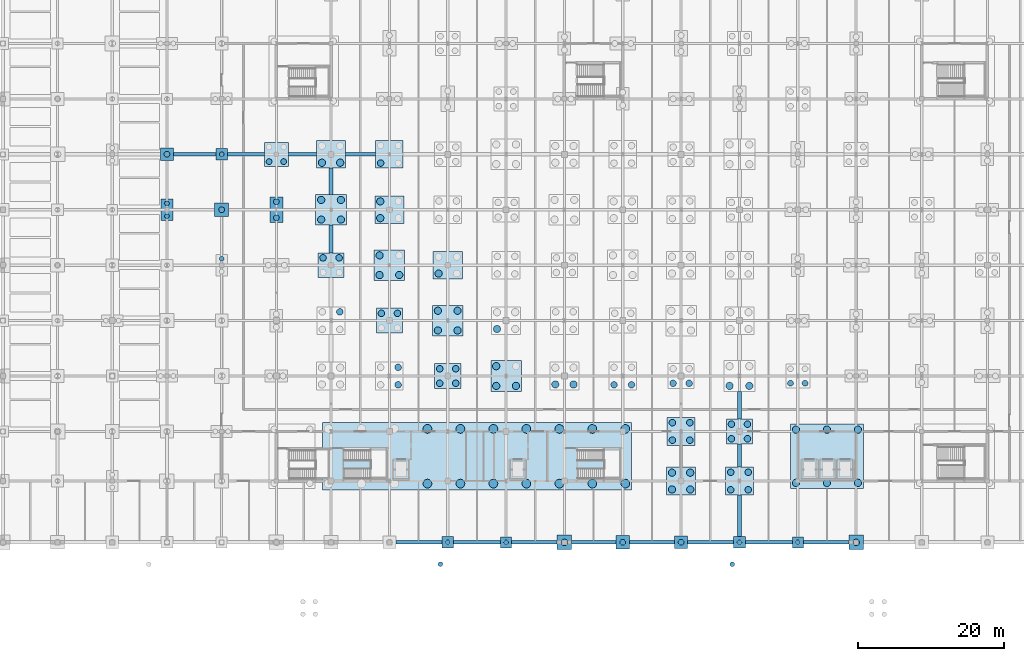
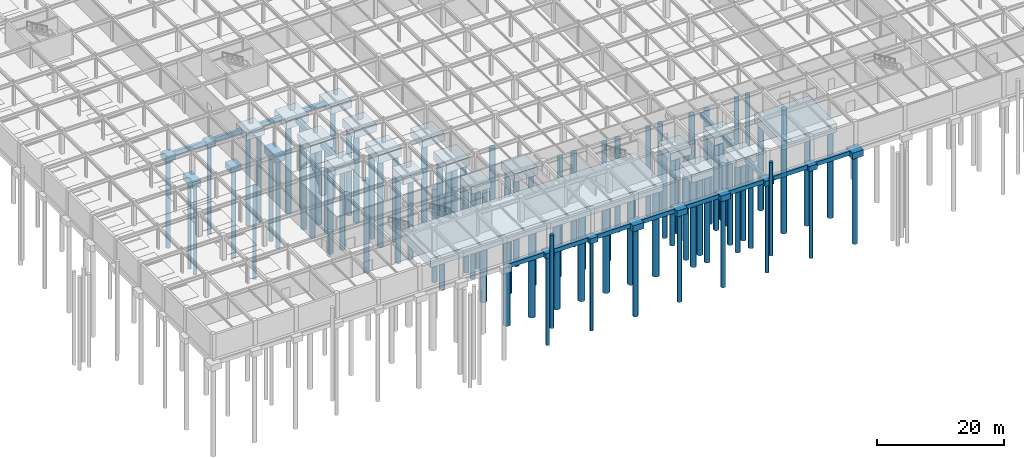
# One storey, part 2 of 53: 98 piles, 48 footings.
"""IFC4 building model written with IfcOpenShell, lengths in metres."""

from ifc_helpers import new_model, si_unit, direction, frame, origin, origin_2d, place, context, subcontext, project, spatial, rectangle, circle, extrude, material, material_profile, profile_set, type_object, element, save


model = new_model("IFC4")

# Units and contexts
model_context = context("Model", 3, precision=1e-05, world=origin(), true_north=direction((0.0, 1.0)))
body_context = subcontext(model_context, "Body", "Model", "MODEL_VIEW")
ifc_project = project(units=[si_unit("LENGTHUNIT", "METRE"), si_unit("AREAUNIT", "SQUARE_METRE"), si_unit("VOLUMEUNIT", "CUBIC_METRE"), si_unit("PLANEANGLEUNIT", "RADIAN"), si_unit("MASSUNIT", "GRAM", prefix="KILO")], contexts=[model_context])

# Site, building, storey
site_placement = place(None, origin())
site = spatial("IfcSite", under=ifc_project, at=site_placement, CompositionType="ELEMENT")
building_placement = place(site_placement, origin())
building = spatial("IfcBuilding", under=site, at=building_placement, Name="Shalkamar Park Central Library", CompositionType="ELEMENT")
storey_placement = place(building_placement, frame((0.0, 0.0, -4.800048828125)))
storey = spatial("IfcBuildingStorey", under=building, at=storey_placement, Name="B1", CompositionType="ELEMENT", Elevation=-4.800048828125)

# Piles
ifc_material = material(Name="Concrete C35/45", Category="concrete")
ifc_material_profile_1 = material_profile(ifc_material, circle(Radius=0.5, at=origin_2d()), Name="PILE D1000")
ifc_profile_set_1 = profile_set([ifc_material_profile_1], Name="Concrete C35/45")
pile_type_1 = type_object("IfcPileType", Name="Bored Concrete Pile D1000", PredefinedType="BORED", material=ifc_profile_set_1)
for number, where, z_axis, x_axis, name in (
    (1, (228.75, 248.14990234375, -0.800048828125), (0.0, 0.0, -1.0), (1.0, 0.0, 0.0), "Bored Pile FC-RAFT-PODLIFT-P01"),
    (2, (228.75, 255.449951171875, -0.800048828125), (0.0, 0.0, -1.0), (1.0, 0.0, 0.0), "Bored Pile FC-RAFT-PODLIFT-P02"),
    (3, (233.0, 248.14990234375, -0.800048828125), (0.0, 0.0, -1.0), (1.0, 0.0, 0.0), "Bored Pile FC-RAFT-PODLIFT-P03"),
    (4, (233.0, 255.449951171875, -0.800048828125), (0.0, 0.0, -1.0), (1.0, 0.0, 0.0), "Bored Pile FC-RAFT-PODLIFT-P04"),
    (5, (237.25, 248.14990234375, -0.800048828125), (0.0, 0.0, -1.0), (1.0, 0.0, 0.0), "Bored Pile FC-RAFT-PODLIFT-P05"),
    (6, (237.25, 255.449951171875, -0.800048828125), (0.0, 0.0, -1.0), (1.0, 0.0, 0.0), "Bored Pile FC-RAFT-PODLIFT-P06"),
    (7, (163.64990234375, 284.25, -0.800048828125), (0.0, 0.0, -1.0), (1.0, 0.0, 0.0), "Bored Pile FC-07-G-P01"),
    (8, (163.64990234375, 286.949951171875, -0.800048828125), (0.0, 0.0, -1.0), (1.0, 0.0, 0.0), "Bored Pile FC-07-G-P02"),
    (9, (166.35009765625, 284.25, -0.800048828125), (0.0, 0.0, -1.0), (1.0, 0.0, 0.0), "Bored Pile FC-07-G-P03"),
    (10, (166.35009765625, 286.949951171875, -0.800048828125), (0.0, 0.0, -1.0), (1.0, 0.0, 0.0), "Bored Pile FC-07-G-P04"),
    (11, (163.75, 292.050048828125, -0.800048828125), (0.0, 0.0, -1.0), (1.0, 0.0, 0.0), "Bored Pile FC-07-H-P01"),
    (12, (166.25, 292.050048828125, -0.800048828125), (0.0, 0.0, -1.0), (1.0, 0.0, 0.0), "Bored Pile FC-07-H-P03"),
    (13, (171.64990234375, 276.64990234375, -0.800048828125), (0.0, 0.0, -1.0), (1.0, 0.0, 0.0), "Bored Pile FC-08-F-P01"),
    (14, (171.64990234375, 279.35009765625, -0.800048828125), (0.0, 0.0, -1.0), (1.0, 0.0, 0.0), "Bored Pile FC-08-F-P02"),
    (15, (174.35009765625, 276.64990234375, -0.800048828125), (0.0, 0.0, -1.0), (1.0, 0.0, 0.0), "Bored Pile FC-08-F-P03"),
    (16, (171.75, 284.449951171875, -0.800048828125), (0.0, 0.0, -1.0), (1.0, 0.0, 0.0), "Bored Pile FC-08-G-P01"),
    (17, (171.75, 286.75, -0.800048828125), (0.0, 0.0, -1.0), (1.0, 0.0, 0.0), "Bored Pile FC-08-G-P02"),
    (18, (179.64990234375, 269.050048828125, -0.800048828125), (0.0, 0.0, -1.0), (1.0, 0.0, 0.0), "Bored Pile FC-09-E-P01"),
    (19, (179.64990234375, 271.75, -0.800048828125), (0.0, 0.0, -1.0), (1.0, 0.0, 0.0), "Bored Pile FC-09-E-P02"),
    (20, (182.35009765625, 269.050048828125, -0.800048828125), (0.0, 0.0, -1.0), (1.0, 0.0, 0.0), "Bored Pile FC-09-E-P03"),
    (21, (182.35009765625, 271.75, -0.800048828125), (0.0, 0.0, -1.0), (1.0, 0.0, 0.0), "Bored Pile FC-09-E-P04"),
    (22, (179.75, 276.85009765625, -0.800048828125), (0.0, 0.0, -1.0), (1.0, 0.0, 0.0), "Bored Pile FC-09-F-P01"),
    (23, (187.64990234375, 261.449951171875, -0.800048828125), (0.0, 0.0, -1.0), (1.0, 0.0, 0.0), "Bored Pile FC-10-D-P01"),
    (24, (187.64990234375, 264.14990234375, -0.800048828125), (0.0, 0.0, -1.0), (1.0, 0.0, 0.0), "Bored Pile FC-10-D-P02"),
    (25, (190.35009765625, 261.449951171875, -0.800048828125), (0.0, 0.0, -1.0), (1.0, 0.0, 0.0), "Bored Pile FC-10-D-P03"),
    (26, (187.75, 269.25, -0.800048828125), (0.0, 0.0, -1.0), (1.0, 0.0, 0.0), "Bored Pile FC-10-E-P01"),
    (27, (195.75, 261.64990234375, -0.800048828125), (0.0, 0.0, -1.0), (1.0, 0.0, 0.0), "Bored Pile FC-11-D-P01"),
    (28, (198.25, 261.64990234375, -0.800048828125), (0.0, 0.0, -1.0), (1.0, 0.0, 0.0), "Bored Pile FC-11-D-P03"),
    (29, (211.75, 247.25, -0.800048828125), (0.0, 0.0, -1.0), (1.0, 0.0, 0.0), "Bored Pile FC-13-B-P01"),
    (30, (211.75, 249.550048828125, -0.800048828125), (0.0, 0.0, -1.0), (1.0, 0.0, 0.0), "Bored Pile FC-13-B-P02"),
    (31, (214.25, 247.25, -0.800048828125), (0.0, 0.0, -1.0), (1.0, 0.0, 0.0), "Bored Pile FC-13-B-P03"),
    (32, (214.25, 249.550048828125, -0.800048828125), (0.0, 0.0, -1.0), (1.0, 0.0, 0.0), "Bored Pile FC-13-B-P04"),
    (33, (219.64990234375, 261.449951171875, -0.800048828125), (0.0, 0.0, -1.0), (1.0, 0.0, 0.0), "Bored Pile FC-14-D-P01"),
    (34, (222.35009765625, 261.449951171875, -0.800048828125), (0.0, 0.0, -1.0), (1.0, 0.0, 0.0), "Bored Pile FC-14-D-P03"),
):
    element("IfcPile", number, at=place(storey_placement, frame(where, z_axis=z_axis, x_axis=x_axis)), inside=storey, type_object=pile_type_1, Name=name, PredefinedType="BORED", context=body_context, shape_type="SweptSolid", body=[
        extrude(circle(Radius=0.5, at=origin_2d()), origin(), (0.0, 0.0, 1.0), 18.0),
    ])
ifc_material_profile_2 = material_profile(ifc_material, circle(Radius=0.60009765625, at=origin_2d()), Name="PILE D1200")
ifc_profile_set_2 = profile_set([ifc_material_profile_2], Name="Concrete C35/45")
pile_type_2 = type_object("IfcPileType", Name="Bored Concrete Pile D1200", PredefinedType="BORED", material=ifc_profile_set_2)
for number, where, z_axis, x_axis, name in (
    (35, (178.216796875, 248.050048828125, -0.800048828125), (0.0, 0.0, -1.0), (1.0, 0.0, 0.0), "Bored Pile FC-RAFT-TOWER-P07"),
    (36, (178.216796875, 255.550048828125, -0.800048828125), (0.0, 0.0, -1.0), (1.0, 0.0, 0.0), "Bored Pile FC-RAFT-TOWER-P08"),
    (37, (182.739013671875, 248.050048828125, -0.800048828125), (0.0, 0.0, -1.0), (1.0, 0.0, 0.0), "Bored Pile FC-RAFT-TOWER-P09"),
    (38, (182.739013671875, 255.550048828125, -0.800048828125), (0.0, 0.0, -1.0), (1.0, 0.0, 0.0), "Bored Pile FC-RAFT-TOWER-P10"),
    (39, (187.260986328125, 248.050048828125, -0.800048828125), (0.0, 0.0, -1.0), (1.0, 0.0, 0.0), "Bored Pile FC-RAFT-TOWER-P11"),
    (40, (187.260986328125, 255.550048828125, -0.800048828125), (0.0, 0.0, -1.0), (1.0, 0.0, 0.0), "Bored Pile FC-RAFT-TOWER-P12"),
    (41, (191.783203125, 248.050048828125, -0.800048828125), (0.0, 0.0, -1.0), (1.0, 0.0, 0.0), "Bored Pile FC-RAFT-TOWER-P13"),
    (42, (191.783203125, 255.550048828125, -0.800048828125), (0.0, 0.0, -1.0), (1.0, 0.0, 0.0), "Bored Pile FC-RAFT-TOWER-P14"),
    (43, (196.3056640625, 248.050048828125, -0.800048828125), (0.0, 0.0, -1.0), (1.0, 0.0, 0.0), "Bored Pile FC-RAFT-TOWER-P15"),
    (44, (196.3056640625, 255.550048828125, -0.800048828125), (0.0, 0.0, -1.0), (1.0, 0.0, 0.0), "Bored Pile FC-RAFT-TOWER-P16"),
    (45, (200.827880859375, 248.050048828125, -0.800048828125), (0.0, 0.0, -1.0), (1.0, 0.0, 0.0), "Bored Pile FC-RAFT-TOWER-P17"),
    (46, (200.827880859375, 255.550048828125, -0.800048828125), (0.0, 0.0, -1.0), (1.0, 0.0, 0.0), "Bored Pile FC-RAFT-TOWER-P18"),
    (47, (205.35009765625, 248.050048828125, -0.800048828125), (0.0, 0.0, -1.0), (1.0, 0.0, 0.0), "Bored Pile FC-RAFT-TOWER-P19"),
    (48, (205.35009765625, 255.550048828125, -0.800048828125), (0.0, 0.0, -1.0), (1.0, 0.0, 0.0), "Bored Pile FC-RAFT-TOWER-P20"),
):
    element("IfcPile", number, at=place(storey_placement, frame(where, z_axis=z_axis, x_axis=x_axis)), inside=storey, type_object=pile_type_2, Name=name, PredefinedType="BORED", context=body_context, shape_type="SweptSolid", body=[
        extrude(circle(Radius=0.60009765625, at=origin_2d()), origin(), (0.0, 0.0, 1.0), 18.0),
    ])
ifc_material_profile_3 = material_profile(ifc_material, circle(Radius=0.324951171875, at=origin_2d()), Name="PILE D650")
ifc_profile_set_3 = profile_set([ifc_material_profile_3], Name="Concrete C35/45")
pile_type_3 = type_object("IfcPileType", Name="Bored Concrete Pile D650", PredefinedType="BORED", material=ifc_profile_set_3)
for number, where, z_axis, x_axis, name in (
    (49, (142.5, 284.72509765625, -0.800048828125), (0.0, 0.0, -1.0), (1.0, 0.0, 0.0), "Bored Pile FC-04-G-P01"),
    (50, (142.5, 286.47509765625, -0.800048828125), (0.0, 0.0, -1.0), (1.0, 0.0, 0.0), "Bored Pile FC-04-G-P02"),
    (51, (150.0, 278.875, -0.800048828125), (0.0, 0.0, -1.0), (1.0, 0.0, 0.0), "Bored Pile FC-05-F-P02"),
    (52, (150.0, 293.199951171875, -0.800048828125), (0.0, 0.0, -1.0), (1.0, 0.0, 0.0), "Bored Pile FC-05-H-P01"),
    (53, (181.0, 240.0, -0.800048828125), (0.0, 0.0, -1.0), (1.0, 0.0, 0.0), "Bored Pile FC-09-A-P01"),
    (54, (189.0, 240.0, -0.800048828125), (0.0, 0.0, -1.0), (1.0, 0.0, 0.0), "Bored Pile FC-10-A-P01"),
    (55, (221.0, 240.0, -0.800048828125), (0.0, 0.0, -1.0), (1.0, 0.0, 0.0), "Bored Pile FC-14-A-P01"),
    (56, (229.0, 240.0, -0.800048828125), (0.0, 0.0, -1.0), (1.0, 0.0, 0.0), "Bored Pile FC-15-A-P01"),
    (57, (180.0, 237.0, 4.650146484375), (0.0, 0.0, -1.0), (1.0, 0.0, 0.0), "Entrance Apron Pile 09"),
    (58, (220.0, 237.0, 4.650146484375), (0.0, 0.0, -1.0), (1.0, 0.0, 0.0), "Entrance Apron Pile 10"),
):
    element("IfcPile", number, at=place(storey_placement, frame(where, z_axis=z_axis, x_axis=x_axis)), inside=storey, type_object=pile_type_3, Name=name, PredefinedType="BORED", context=body_context, shape_type="SweptSolid", body=[
        extrude(circle(Radius=0.324951171875, at=origin_2d()), origin(), (0.0, 0.0, 1.0), 18.0),
    ])
ifc_material_profile_4 = material_profile(ifc_material, circle(Radius=0.39990234375, at=origin_2d()), Name="PILE D800")
ifc_profile_set_4 = profile_set([ifc_material_profile_4], Name="Concrete C35/45")
pile_type_4 = type_object("IfcPileType", Name="Bored Concrete Pile D800", PredefinedType="BORED", material=ifc_profile_set_4)
for number, where, z_axis, x_axis, name in (
    (59, (142.5, 293.199951171875, -0.800048828125), (0.0, 0.0, -1.0), (1.0, 0.0, 0.0), "Bored Pile FC-04-H-P01"),
    (60, (150.0, 285.60009765625, -0.800048828125), (0.0, 0.0, -1.0), (1.0, 0.0, 0.0), "Bored Pile FC-05-G-P01"),
    (61, (157.5, 284.5, -0.800048828125), (0.0, 0.0, -1.0), (1.0, 0.0, 0.0), "Bored Pile FC-06-G-P01"),
    (62, (157.5, 286.699951171875, -0.800048828125), (0.0, 0.0, -1.0), (1.0, 0.0, 0.0), "Bored Pile FC-06-G-P02"),
    (63, (156.5, 292.199951171875, -0.800048828125), (0.0, 0.0, -1.0), (1.0, 0.0, 0.0), "Bored Pile FC-06-H-P01"),
    (64, (158.5, 292.199951171875, -0.800048828125), (0.0, 0.0, -1.0), (1.0, 0.0, 0.0), "Bored Pile FC-06-H-P03"),
    (65, (205.0, 240.0, -0.800048828125), (0.0, 0.0, -1.0), (1.0, 0.0, 0.0), "Bored Pile FC-12-A-P01"),
    (66, (213.0, 240.0, -0.800048828125), (0.0, 0.0, -1.0), (1.0, 0.0, 0.0), "Bored Pile FC-13-A-P01"),
    (67, (228.0, 261.800048828125, -0.800048828125), (0.0, 0.0, -1.0), (1.0, 0.0, 0.0), "Bored Pile FC-15-D-P01"),
    (68, (230.0, 261.800048828125, -0.800048828125), (0.0, 0.0, -1.0), (1.0, 0.0, 0.0), "Bored Pile FC-15-D-P03"),
):
    element("IfcPile", number, at=place(storey_placement, frame(where, z_axis=z_axis, x_axis=x_axis)), inside=storey, type_object=pile_type_4, Name=name, PredefinedType="BORED", context=body_context, shape_type="SweptSolid", body=[
        extrude(circle(Radius=0.39990234375, at=origin_2d()), origin(), (0.0, 0.0, 1.0), 18.0),
    ])
ifc_material_profile_5 = material_profile(ifc_material, circle(Radius=0.449951171875, at=origin_2d()), Name="PILE D900")
ifc_profile_set_5 = profile_set([ifc_material_profile_5], Name="Concrete C35/45")
pile_type_5 = type_object("IfcPileType", Name="Bored Concrete Pile D900", PredefinedType="BORED", material=ifc_profile_set_5)
for number, where, z_axis, x_axis, name in (
    (69, (166.199951171875, 271.60009765625, -0.800048828125), (0.0, 0.0, -1.0), (1.0, 0.0, 0.0), "Bored Pile FC-07-E-P04"),
    (70, (163.89990234375, 279.0, -0.800048828125), (0.0, 0.0, -1.0), (1.0, 0.0, 0.0), "Bored Pile FC-07-F-P02"),
    (71, (166.10009765625, 279.0, -0.800048828125), (0.0, 0.0, -1.0), (1.0, 0.0, 0.0), "Bored Pile FC-07-F-P04"),
    (72, (174.199951171875, 261.60009765625, -0.800048828125), (0.0, 0.0, -1.0), (1.0, 0.0, 0.0), "Bored Pile FC-08-D-P03"),
    (73, (174.199951171875, 264.0, -0.800048828125), (0.0, 0.0, -1.0), (1.0, 0.0, 0.0), "Bored Pile FC-08-D-P04"),
    (74, (171.89990234375, 271.39990234375, -0.800048828125), (0.0, 0.0, -1.0), (1.0, 0.0, 0.0), "Bored Pile FC-08-E-P02"),
    (75, (174.10009765625, 271.39990234375, -0.800048828125), (0.0, 0.0, -1.0), (1.0, 0.0, 0.0), "Bored Pile FC-08-E-P04"),
    (76, (171.800048828125, 292.0, -0.800048828125), (0.0, 0.0, -1.0), (1.0, 0.0, 0.0), "Bored Pile FC-08-H-P01"),
    (77, (179.89990234375, 261.800048828125, -0.800048828125), (0.0, 0.0, -1.0), (1.0, 0.0, 0.0), "Bored Pile FC-09-D-P01"),
    (78, (179.89990234375, 263.800048828125, -0.800048828125), (0.0, 0.0, -1.0), (1.0, 0.0, 0.0), "Bored Pile FC-09-D-P02"),
    (79, (182.10009765625, 261.800048828125, -0.800048828125), (0.0, 0.0, -1.0), (1.0, 0.0, 0.0), "Bored Pile FC-09-D-P03"),
    (80, (182.10009765625, 263.800048828125, -0.800048828125), (0.0, 0.0, -1.0), (1.0, 0.0, 0.0), "Bored Pile FC-09-D-P04"),
    (81, (197.0, 240.0, -0.800048828125), (0.0, 0.0, -1.0), (1.0, 0.0, 0.0), "Bored Pile FC-11-A-P01"),
    (82, (203.800048828125, 261.60009765625, -0.800048828125), (0.0, 0.0, -1.0), (1.0, 0.0, 0.0), "Bored Pile FC-12-D-P01"),
    (83, (206.199951171875, 261.60009765625, -0.800048828125), (0.0, 0.0, -1.0), (1.0, 0.0, 0.0), "Bored Pile FC-12-D-P03"),
    (84, (211.800048828125, 254.0, -0.800048828125), (0.0, 0.0, -1.0), (1.0, 0.0, 0.0), "Bored Pile FC-13-C-P01"),
    (85, (211.800048828125, 256.39990234375, -0.800048828125), (0.0, 0.0, -1.0), (1.0, 0.0, 0.0), "Bored Pile FC-13-C-P02"),
    (86, (214.199951171875, 254.0, -0.800048828125), (0.0, 0.0, -1.0), (1.0, 0.0, 0.0), "Bored Pile FC-13-C-P03"),
    (87, (214.199951171875, 256.39990234375, -0.800048828125), (0.0, 0.0, -1.0), (1.0, 0.0, 0.0), "Bored Pile FC-13-C-P04"),
    (88, (211.89990234375, 261.800048828125, -0.800048828125), (0.0, 0.0, -1.0), (1.0, 0.0, 0.0), "Bored Pile FC-13-D-P01"),
    (89, (214.10009765625, 261.800048828125, -0.800048828125), (0.0, 0.0, -1.0), (1.0, 0.0, 0.0), "Bored Pile FC-13-D-P03"),
    (90, (219.800048828125, 247.199951171875, -0.800048828125), (0.0, 0.0, -1.0), (1.0, 0.0, 0.0), "Bored Pile FC-14-B-P01"),
    (91, (219.800048828125, 249.60009765625, -0.800048828125), (0.0, 0.0, -1.0), (1.0, 0.0, 0.0), "Bored Pile FC-14-B-P02"),
    (92, (222.199951171875, 247.199951171875, -0.800048828125), (0.0, 0.0, -1.0), (1.0, 0.0, 0.0), "Bored Pile FC-14-B-P03"),
    (93, (222.199951171875, 249.60009765625, -0.800048828125), (0.0, 0.0, -1.0), (1.0, 0.0, 0.0), "Bored Pile FC-14-B-P04"),
    (94, (219.89990234375, 254.199951171875, -0.800048828125), (0.0, 0.0, -1.0), (1.0, 0.0, 0.0), "Bored Pile FC-14-C-P01"),
    (95, (219.89990234375, 256.199951171875, -0.800048828125), (0.0, 0.0, -1.0), (1.0, 0.0, 0.0), "Bored Pile FC-14-C-P02"),
    (96, (222.10009765625, 254.199951171875, -0.800048828125), (0.0, 0.0, -1.0), (1.0, 0.0, 0.0), "Bored Pile FC-14-C-P03"),
    (97, (222.10009765625, 256.199951171875, -0.800048828125), (0.0, 0.0, -1.0), (1.0, 0.0, 0.0), "Bored Pile FC-14-C-P04"),
    (98, (237.0, 240.0, -0.800048828125), (0.0, 0.0, -1.0), (1.0, 0.0, 0.0), "Bored Pile FC-16-A-P01"),
):
    element("IfcPile", number, at=place(storey_placement, frame(where, z_axis=z_axis, x_axis=x_axis)), inside=storey, type_object=pile_type_5, Name=name, PredefinedType="BORED", context=body_context, shape_type="SweptSolid", body=[
        extrude(circle(Radius=0.449951171875, at=origin_2d()), origin(), (0.0, 0.0, 1.0), 18.0),
    ])

# Footings
footing_type_1 = type_object("IfcFootingType", Name="Ground Tie Beam 500x800", PredefinedType="FOOTING_BEAM", material=ifc_material)
footing_1_placement = place(storey_placement, frame((177.03759765625, 240.0, -1.39990234375), z_axis=(0.0, 0.0, 1.0), x_axis=(1.0, 0.0, 0.0)))
element("IfcFooting", 99, at=footing_1_placement, inside=storey, type_object=footing_type_1, Name="Ground Tie Beam TB-X-08-A", PredefinedType="FOOTING_BEAM", context=body_context, shape_type="SweptSolid", body=[
    extrude(rectangle(XDim=6.324951171875, YDim=0.5, at=origin_2d()), origin(), (0.0, 0.0, 1.0), 0.800048828125),
])
footing_2_placement = place(storey_placement, frame((185.02490234375, 240.0, -1.39990234375), z_axis=(0.0, 0.0, 1.0), x_axis=(1.0, 0.0, 0.0)))
element("IfcFooting", 100, at=footing_2_placement, inside=storey, type_object=footing_type_1, Name="Ground Tie Beam TB-X-09-A", PredefinedType="FOOTING_BEAM", context=body_context, shape_type="SweptSolid", body=[
    extrude(rectangle(XDim=6.449951171875, YDim=0.5, at=origin_2d()), origin(), (0.0, 0.0, 1.0), 0.800048828125),
])
footing_3_placement = place(storey_placement, frame((192.875, 240.0, -1.39990234375), z_axis=(0.0, 0.0, 1.0), x_axis=(1.0, 0.0, 0.0)))
element("IfcFooting", 101, at=footing_3_placement, inside=storey, type_object=footing_type_1, Name="Ground Tie Beam TB-X-10-A", PredefinedType="FOOTING_BEAM", context=body_context, shape_type="SweptSolid", body=[
    extrude(rectangle(XDim=6.25, YDim=0.5, at=origin_2d()), origin(), (0.0, 0.0, 1.0), 0.800048828125),
])
footing_4_placement = place(storey_placement, frame((201.02490234375, 240.0, -1.39990234375), z_axis=(0.0, 0.0, 1.0), x_axis=(1.0, 0.0, 0.0)))
element("IfcFooting", 102, at=footing_4_placement, inside=storey, type_object=footing_type_1, Name="Ground Tie Beam TB-X-11-A", PredefinedType="FOOTING_BEAM", context=body_context, shape_type="SweptSolid", body=[
    extrude(rectangle(XDim=6.050048828125, YDim=0.5, at=origin_2d()), origin(), (0.0, 0.0, 1.0), 0.800048828125),
])
footing_5_placement = place(storey_placement, frame((209.03759765625, 240.0, -1.39990234375), z_axis=(0.0, 0.0, 1.0), x_axis=(1.0, 0.0, 0.0)))
element("IfcFooting", 103, at=footing_5_placement, inside=storey, type_object=footing_type_1, Name="Ground Tie Beam TB-X-12-A", PredefinedType="FOOTING_BEAM", context=body_context, shape_type="SweptSolid", body=[
    extrude(rectangle(XDim=6.175048828125, YDim=0.5, at=origin_2d()), origin(), (0.0, 0.0, 1.0), 0.800048828125),
])
footing_6_placement = place(storey_placement, frame((217.03759765625, 240.0, -1.39990234375), z_axis=(0.0, 0.0, 1.0), x_axis=(1.0, 0.0, 0.0)))
element("IfcFooting", 104, at=footing_6_placement, inside=storey, type_object=footing_type_1, Name="Ground Tie Beam TB-X-13-A", PredefinedType="FOOTING_BEAM", context=body_context, shape_type="SweptSolid", body=[
    extrude(rectangle(XDim=6.324951171875, YDim=0.5, at=origin_2d()), origin(), (0.0, 0.0, 1.0), 0.800048828125),
])
footing_7_placement = place(storey_placement, frame((225.02490234375, 240.0, -1.39990234375), z_axis=(0.0, 0.0, 1.0), x_axis=(1.0, 0.0, 0.0)))
element("IfcFooting", 105, at=footing_7_placement, inside=storey, type_object=footing_type_1, Name="Ground Tie Beam TB-X-14-A", PredefinedType="FOOTING_BEAM", context=body_context, shape_type="SweptSolid", body=[
    extrude(rectangle(XDim=6.449951171875, YDim=0.5, at=origin_2d()), origin(), (0.0, 0.0, 1.0), 0.800048828125),
])
footing_8_placement = place(storey_placement, frame((232.875, 240.0, -1.39990234375), z_axis=(0.0, 0.0, 1.0), x_axis=(1.0, 0.0, 0.0)))
element("IfcFooting", 106, at=footing_8_placement, inside=storey, type_object=footing_type_1, Name="Ground Tie Beam TB-X-15-A", PredefinedType="FOOTING_BEAM", context=body_context, shape_type="SweptSolid", body=[
    extrude(rectangle(XDim=6.25, YDim=0.5, at=origin_2d()), origin(), (0.0, 0.0, 1.0), 0.800048828125),
])
footing_type_2 = type_object("IfcFootingType", Name="Ground Tie Beam 500x850", PredefinedType="FOOTING_BEAM", material=ifc_material)
footing_9_placement = place(storey_placement, frame((146.28759765625, 293.199951171875, -1.449951171875), z_axis=(0.0, 0.0, 1.0), x_axis=(1.0, 0.0, 0.0)))
element("IfcFooting", 107, at=footing_9_placement, inside=storey, type_object=footing_type_2, Name="Ground Tie Beam TB-X-04-H", PredefinedType="FOOTING_BEAM", context=body_context, shape_type="SweptSolid", body=[
    extrude(rectangle(XDim=5.824951171875, YDim=0.5, at=origin_2d()), origin(), (0.0, 0.0, 1.0), 0.85009765625),
])
footing_10_placement = place(storey_placement, frame((153.324951171875, 293.199951171875, -1.449951171875), z_axis=(0.0, 0.0, 1.0), x_axis=(1.0, 0.0, 0.0)))
element("IfcFooting", 108, at=footing_10_placement, inside=storey, type_object=footing_type_2, Name="Ground Tie Beam TB-X-05-H", PredefinedType="FOOTING_BEAM", context=body_context, shape_type="SweptSolid", body=[
    extrude(rectangle(XDim=5.050048828125, YDim=0.5, at=origin_2d()), origin(), (0.0, 0.0, 1.0), 0.85009765625),
])
footing_11_placement = place(storey_placement, frame((161.074951171875, 293.199951171875, -1.449951171875), z_axis=(0.0, 0.0, 1.0), x_axis=(1.0, 0.0, 0.0)))
element("IfcFooting", 109, at=footing_11_placement, inside=storey, type_object=footing_type_2, Name="Ground Tie Beam TB-X-06-H", PredefinedType="FOOTING_BEAM", context=body_context, shape_type="SweptSolid", body=[
    extrude(rectangle(XDim=3.85009765625, YDim=0.5, at=origin_2d()), origin(), (0.0, 0.0, 1.0), 0.85009765625),
])
footing_12_placement = place(storey_placement, frame((169.050048828125, 293.199951171875, -1.449951171875), z_axis=(0.0, 0.0, 1.0), x_axis=(1.0, 0.0, 0.0)))
element("IfcFooting", 110, at=footing_12_placement, inside=storey, type_object=footing_type_2, Name="Ground Tie Beam TB-X-07-H", PredefinedType="FOOTING_BEAM", context=body_context, shape_type="SweptSolid", body=[
    extrude(rectangle(XDim=4.10009765625, YDim=0.5, at=origin_2d()), origin(), (0.0, 0.0, 1.0), 0.85009765625),
])
footing_13_placement = place(storey_placement, frame((165.0, 281.60009765625, -1.449951171875), z_axis=(0.0, 0.0, 1.0), x_axis=(0.0, 1.0, 0.0)))
element("IfcFooting", 111, at=footing_13_placement, inside=storey, type_object=footing_type_2, Name="Ground Tie Beam TB-Y-07-F", PredefinedType="FOOTING_BEAM", context=body_context, shape_type="SweptSolid", body=[
    extrude(rectangle(XDim=3.800048828125, YDim=0.5, at=origin_2d()), origin(), (0.0, 0.0, 1.0), 0.85009765625),
])
footing_14_placement = place(storey_placement, frame((165.0, 289.5, -1.449951171875), z_axis=(0.0, 0.0, 1.0), x_axis=(0.0, 1.0, 0.0)))
element("IfcFooting", 112, at=footing_14_placement, inside=storey, type_object=footing_type_2, Name="Ground Tie Beam TB-Y-07-G", PredefinedType="FOOTING_BEAM", context=body_context, shape_type="SweptSolid", body=[
    extrude(rectangle(XDim=3.60009765625, YDim=0.5, at=origin_2d()), origin(), (0.0, 0.0, 1.0), 0.85009765625),
])
footing_15_placement = place(storey_placement, frame((221.0, 243.64990234375, -1.449951171875), z_axis=(0.0, 0.0, 1.0), x_axis=(0.0, 1.0, 0.0)))
element("IfcFooting", 113, at=footing_15_placement, inside=storey, type_object=footing_type_2, Name="Ground Tie Beam TB-Y-14-A", PredefinedType="FOOTING_BEAM", context=body_context, shape_type="SweptSolid", body=[
    extrude(rectangle(XDim=5.699951171875, YDim=0.5, at=origin_2d()), origin(), (0.0, 0.0, 1.0), 0.85009765625),
])
footing_16_placement = place(storey_placement, frame((221.0, 251.89990234375, -1.449951171875), z_axis=(0.0, 0.0, 1.0), x_axis=(0.0, 1.0, 0.0)))
element("IfcFooting", 114, at=footing_16_placement, inside=storey, type_object=footing_type_2, Name="Ground Tie Beam TB-Y-14-B", PredefinedType="FOOTING_BEAM", context=body_context, shape_type="SweptSolid", body=[
    extrude(rectangle(XDim=3.199951171875, YDim=0.5, at=origin_2d()), origin(), (0.0, 0.0, 1.0), 0.85009765625),
])
footing_17_placement = place(storey_placement, frame((221.0, 258.800048828125, -1.449951171875), z_axis=(0.0, 0.0, 1.0), x_axis=(0.0, 1.0, 0.0)))
element("IfcFooting", 115, at=footing_17_placement, inside=storey, type_object=footing_type_2, Name="Ground Tie Beam TB-Y-14-C", PredefinedType="FOOTING_BEAM", context=body_context, shape_type="SweptSolid", body=[
    extrude(rectangle(XDim=3.800048828125, YDim=0.5, at=origin_2d()), origin(), (0.0, 0.0, 1.0), 0.85009765625),
])
footing_type_3 = type_object("IfcFootingType", Name="Reinforced Concrete Pile Cap 1000x880x165", PredefinedType="PILE_CAP", material=ifc_material)
footing_18_placement = place(storey_placement, frame((233.0, 251.800048828125, -2.25), z_axis=(0.0, 0.0, 1.0), x_axis=(1.0, 0.0, 0.0)))
element("IfcFooting", 116, at=footing_18_placement, inside=storey, type_object=footing_type_3, Name="Pile Cap FC-02", PredefinedType="PILE_CAP", context=body_context, shape_type="SweptSolid", body=[
    extrude(rectangle(XDim=10.0, YDim=8.800048828125, at=origin_2d()), origin(), (0.0, 0.0, 1.0), 1.64990234375),
])
footing_type_4 = type_object("IfcFootingType", Name="Reinforced Concrete Pile Cap 150x150x100", PredefinedType="PILE_CAP", material=ifc_material)
for number, where, z_axis, x_axis, name in (
    (117, (189.0, 240.0, -1.599853515625), (0.0, 0.0, 1.0), (1.0, 0.0, 0.0), "Pile Cap FC-09"),
    (118, (229.0, 240.0, -1.599853515625), (0.0, 0.0, 1.0), (1.0, 0.0, 0.0), "Pile Cap FC-09"),
):
    element("IfcFooting", number, at=place(storey_placement, frame(where, z_axis=z_axis, x_axis=x_axis)), inside=storey, type_object=footing_type_4, Name=name, PredefinedType="PILE_CAP", context=body_context, shape_type="SweptSolid", body=[
        extrude(rectangle(XDim=1.5, YDim=1.5, at=origin_2d()), origin(), (0.0, 0.0, 1.0), 1.0),
    ])
footing_type_5 = type_object("IfcFootingType", Name="Reinforced Concrete Pile Cap 160x160x105", PredefinedType="PILE_CAP", material=ifc_material)
for number, where, z_axis, x_axis, name in (
    (119, (150.0, 293.199951171875, -1.64990234375), (0.0, 0.0, 1.0), (1.0, 0.0, 0.0), "Pile Cap FC-11"),
    (120, (181.0, 240.0, -1.64990234375), (0.0, 0.0, 1.0), (1.0, 0.0, 0.0), "Pile Cap FC-11"),
    (121, (221.0, 240.0, -1.64990234375), (0.0, 0.0, 1.0), (1.0, 0.0, 0.0), "Pile Cap FC-11"),
):
    element("IfcFooting", number, at=place(storey_placement, frame(where, z_axis=z_axis, x_axis=x_axis)), inside=storey, type_object=footing_type_5, Name=name, PredefinedType="PILE_CAP", context=body_context, shape_type="SweptSolid", body=[
        extrude(rectangle(XDim=1.60009765625, YDim=1.60009765625, at=origin_2d()), origin(), (0.0, 0.0, 1.0), 1.050048828125),
    ])
footing_type_6 = type_object("IfcFootingType", Name="Reinforced Concrete Pile Cap 160x290x125", PredefinedType="PILE_CAP", material=ifc_material)
footing_19_placement = place(storey_placement, frame((142.5, 285.60009765625, -1.849853515625), z_axis=(0.0, 0.0, 1.0), x_axis=(1.0, 0.0, 0.0)))
element("IfcFooting", 122, at=footing_19_placement, inside=storey, type_object=footing_type_6, Name="Pile Cap FC-12", PredefinedType="PILE_CAP", context=body_context, shape_type="SweptSolid", body=[
    extrude(rectangle(XDim=1.60009765625, YDim=2.89990234375, at=origin_2d()), origin(), (0.0, 0.0, 1.0), 1.25),
])
footing_type_7 = type_object("IfcFootingType", Name="Reinforced Concrete Pile Cap 175x175x110", PredefinedType="PILE_CAP", material=ifc_material)
for number, where, z_axis, x_axis, name in (
    (123, (142.5, 293.199951171875, -1.699951171875), (0.0, 0.0, 1.0), (1.0, 0.0, 0.0), "Pile Cap FC-08"),
    (124, (213.0, 240.0, -1.699951171875), (0.0, 0.0, 1.0), (1.0, 0.0, 0.0), "Pile Cap FC-08"),
):
    element("IfcFooting", number, at=place(storey_placement, frame(where, z_axis=z_axis, x_axis=x_axis)), inside=storey, type_object=footing_type_7, Name=name, PredefinedType="PILE_CAP", context=body_context, shape_type="SweptSolid", body=[
        extrude(rectangle(XDim=1.75, YDim=1.75, at=origin_2d()), origin(), (0.0, 0.0, 1.0), 1.10009765625),
    ])
footing_type_8 = type_object("IfcFootingType", Name="Reinforced Concrete Pile Cap 180x350x140", PredefinedType="PILE_CAP", material=ifc_material)
footing_20_placement = place(storey_placement, frame((157.5, 285.60009765625, -2.0), z_axis=(0.0, 0.0, 1.0), x_axis=(1.0, 0.0, 0.0)))
element("IfcFooting", 125, at=footing_20_placement, inside=storey, type_object=footing_type_8, Name="Pile Cap FC-17", PredefinedType="PILE_CAP", context=body_context, shape_type="SweptSolid", body=[
    extrude(rectangle(XDim=1.800048828125, YDim=3.5, at=origin_2d()), origin(), (0.0, 0.0, 1.0), 1.39990234375),
])
footing_type_9 = type_object("IfcFootingType", Name="Reinforced Concrete Pile Cap 190x190x115", PredefinedType="PILE_CAP", material=ifc_material)
for number, where, z_axis, x_axis, name in (
    (126, (150.0, 285.60009765625, -1.75), (0.0, 0.0, 1.0), (1.0, 0.0, 0.0), "Pile Cap FC-10"),
    (127, (205.0, 240.0, -1.75), (0.0, 0.0, 1.0), (1.0, 0.0, 0.0), "Pile Cap FC-10"),
):
    element("IfcFooting", number, at=place(storey_placement, frame(where, z_axis=z_axis, x_axis=x_axis)), inside=storey, type_object=footing_type_9, Name=name, PredefinedType="PILE_CAP", context=body_context, shape_type="SweptSolid", body=[
        extrude(rectangle(XDim=1.89990234375, YDim=1.89990234375, at=origin_2d()), origin(), (0.0, 0.0, 1.0), 1.14990234375),
    ])
footing_type_10 = type_object("IfcFootingType", Name="Reinforced Concrete Pile Cap 200x200x120", PredefinedType="PILE_CAP", material=ifc_material)
for number, where, z_axis, x_axis, name in (
    (128, (197.0, 240.0, -1.7998046875), (0.0, 0.0, 1.0), (1.0, 0.0, 0.0), "Pile Cap FC-07"),
    (129, (237.0, 240.0, -1.7998046875), (0.0, 0.0, 1.0), (1.0, 0.0, 0.0), "Pile Cap FC-07"),
):
    element("IfcFooting", number, at=place(storey_placement, frame(where, z_axis=z_axis, x_axis=x_axis)), inside=storey, type_object=footing_type_10, Name=name, PredefinedType="PILE_CAP", context=body_context, shape_type="SweptSolid", body=[
        extrude(rectangle(XDim=2.0, YDim=2.0, at=origin_2d()), origin(), (0.0, 0.0, 1.0), 1.199951171875),
    ])
footing_type_11 = type_object("IfcFootingType", Name="Reinforced Concrete Pile Cap 330x330x135", PredefinedType="PILE_CAP", material=ifc_material)
footing_21_placement = place(storey_placement, frame((157.5, 293.199951171875, -1.949951171875), z_axis=(0.0, 0.0, 1.0), x_axis=(1.0, 0.0, 0.0)))
element("IfcFooting", 130, at=footing_21_placement, inside=storey, type_object=footing_type_11, Name="Pile Cap FC-18", PredefinedType="PILE_CAP", context=body_context, shape_type="SweptSolid", body=[
    extrude(rectangle(XDim=3.300048828125, YDim=3.300048828125, at=origin_2d()), origin(), (0.0, 0.0, 1.0), 1.35009765625),
])
footing_type_12 = type_object("IfcFootingType", Name="Reinforced Concrete Pile Cap 360x340x145", PredefinedType="PILE_CAP", material=ifc_material)
for number, where, z_axis, x_axis, name in (
    (131, (165.0, 278.0, -2.0498046875), (0.0, 0.0, 1.0), (1.0, 0.0, 0.0), "Pile Cap FC-21"),
    (132, (173.0, 270.39990234375, -2.0498046875), (0.0, 0.0, 1.0), (1.0, 0.0, 0.0), "Pile Cap FC-21"),
    (133, (181.0, 262.800048828125, -2.0498046875), (0.0, 0.0, 1.0), (1.0, 0.0, 0.0), "Pile Cap FC-21"),
    (134, (221.0, 255.199951171875, -2.0498046875), (0.0, 0.0, 1.0), (1.0, 0.0, 0.0), "Pile Cap FC-21"),
):
    element("IfcFooting", number, at=place(storey_placement, frame(where, z_axis=z_axis, x_axis=x_axis)), inside=storey, type_object=footing_type_12, Name=name, PredefinedType="PILE_CAP", context=body_context, shape_type="SweptSolid", body=[
        extrude(rectangle(XDim=3.60009765625, YDim=3.39990234375, at=origin_2d()), origin(), (0.0, 0.0, 1.0), 1.449951171875),
    ])
footing_type_13 = type_object("IfcFootingType", Name="Reinforced Concrete Pile Cap 380x380x150", PredefinedType="PILE_CAP", material=ifc_material)
for number, where, z_axis, x_axis, name in (
    (135, (173.0, 293.199951171875, -2.099853515625), (0.0, 0.0, 1.0), (1.0, 0.0, 0.0), "Pile Cap FC-20"),
    (136, (213.0, 255.199951171875, -2.099853515625), (0.0, 0.0, 1.0), (1.0, 0.0, 0.0), "Pile Cap FC-20"),
    (137, (221.0, 248.39990234375, -2.099853515625), (0.0, 0.0, 1.0), (1.0, 0.0, 0.0), "Pile Cap FC-20"),
):
    element("IfcFooting", number, at=place(storey_placement, frame(where, z_axis=z_axis, x_axis=x_axis)), inside=storey, type_object=footing_type_13, Name=name, PredefinedType="PILE_CAP", context=body_context, shape_type="SweptSolid", body=[
        extrude(rectangle(XDim=3.800048828125, YDim=3.800048828125, at=origin_2d()), origin(), (0.0, 0.0, 1.0), 1.5),
    ])
footing_type_14 = type_object("IfcFootingType", Name="Reinforced Concrete Pile Cap 400x380x155", PredefinedType="PILE_CAP", material=ifc_material)
for number, where, z_axis, x_axis, name in (
    (138, (165.0, 293.199951171875, -2.14990234375), (0.0, 0.0, 1.0), (1.0, 0.0, 0.0), "Pile Cap FC-19"),
    (139, (173.0, 285.60009765625, -2.14990234375), (0.0, 0.0, 1.0), (1.0, 0.0, 0.0), "Pile Cap FC-19"),
    (140, (181.0, 278.0, -2.14990234375), (0.0, 0.0, 1.0), (1.0, 0.0, 0.0), "Pile Cap FC-19"),
    (141, (213.0, 248.39990234375, -2.14990234375), (0.0, 0.0, 1.0), (1.0, 0.0, 0.0), "Pile Cap FC-19"),
):
    element("IfcFooting", number, at=place(storey_placement, frame(where, z_axis=z_axis, x_axis=x_axis)), inside=storey, type_object=footing_type_14, Name=name, PredefinedType="PILE_CAP", context=body_context, shape_type="SweptSolid", body=[
        extrude(rectangle(XDim=4.0, YDim=3.800048828125, at=origin_2d()), origin(), (0.0, 0.0, 1.0), 1.550048828125),
    ])
footing_type_15 = type_object("IfcFootingType", Name="Reinforced Concrete Pile Cap 420x420x160", PredefinedType="PILE_CAP", material=ifc_material)
for number, where, z_axis, x_axis, name in (
    (142, (165.0, 285.60009765625, -2.199951171875), (0.0, 0.0, 1.0), (1.0, 0.0, 0.0), "Pile Cap FC-22"),
    (143, (173.0, 278.0, -2.199951171875), (0.0, 0.0, 1.0), (1.0, 0.0, 0.0), "Pile Cap FC-22"),
    (144, (181.0, 270.39990234375, -2.199951171875), (0.0, 0.0, 1.0), (1.0, 0.0, 0.0), "Pile Cap FC-22"),
    (145, (189.0, 262.800048828125, -2.199951171875), (0.0, 0.0, 1.0), (1.0, 0.0, 0.0), "Pile Cap FC-22"),
):
    element("IfcFooting", number, at=place(storey_placement, frame(where, z_axis=z_axis, x_axis=x_axis)), inside=storey, type_object=footing_type_15, Name=name, PredefinedType="PILE_CAP", context=body_context, shape_type="SweptSolid", body=[
        extrude(rectangle(XDim=4.199951171875, YDim=4.199951171875, at=origin_2d()), origin(), (0.0, 0.0, 1.0), 1.60009765625),
    ])
footing_type_16 = type_object("IfcFootingType", Name="Reinforced Concrete Pile Cap 4240x920x180", PredefinedType="PILE_CAP", material=ifc_material)
footing_22_placement = place(storey_placement, frame((185.0, 251.800048828125, -2.39990234375), z_axis=(0.0, 0.0, 1.0), x_axis=(1.0, 0.0, 0.0)))
element("IfcFooting", 146, at=footing_22_placement, inside=storey, type_object=footing_type_16, Name="Pile Cap FC-01", PredefinedType="PILE_CAP", context=body_context, shape_type="SweptSolid", body=[
    extrude(rectangle(XDim=42.39990234375, YDim=9.199951171875, at=origin_2d()), origin(), (0.0, 0.0, 1.0), 1.800048828125),
])

save(model, "model.ifc")
